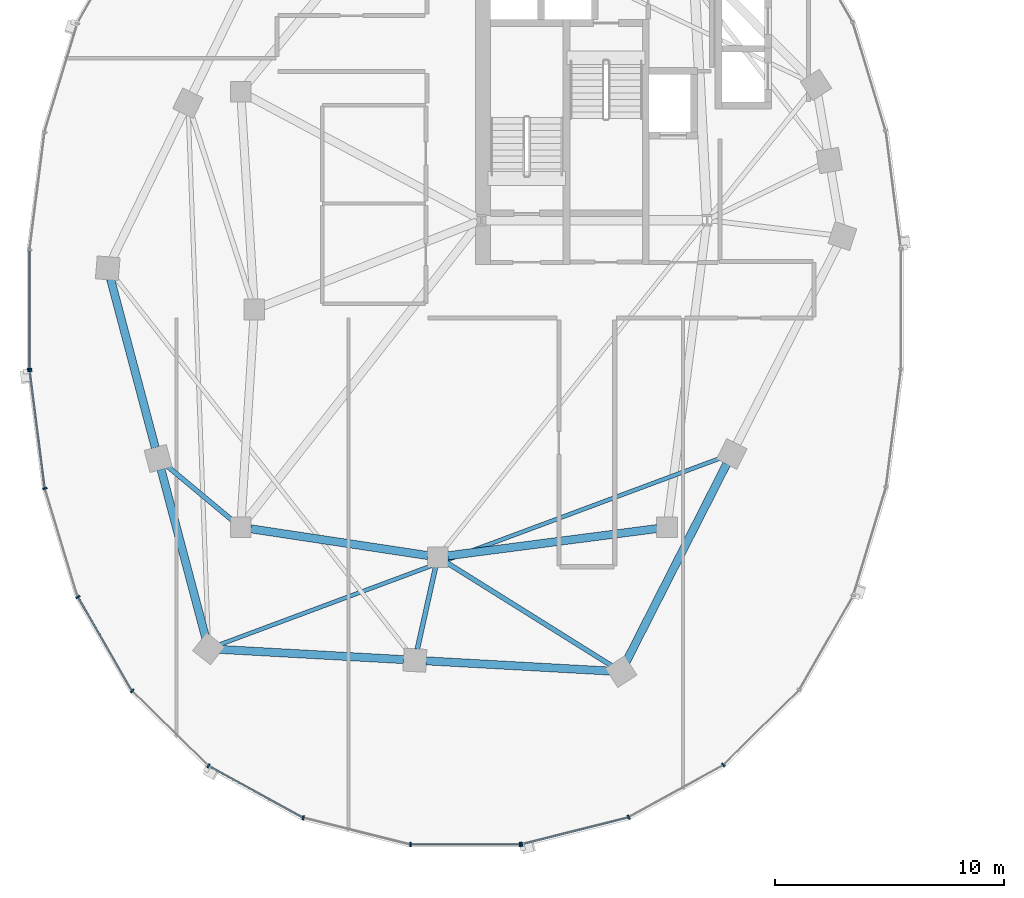
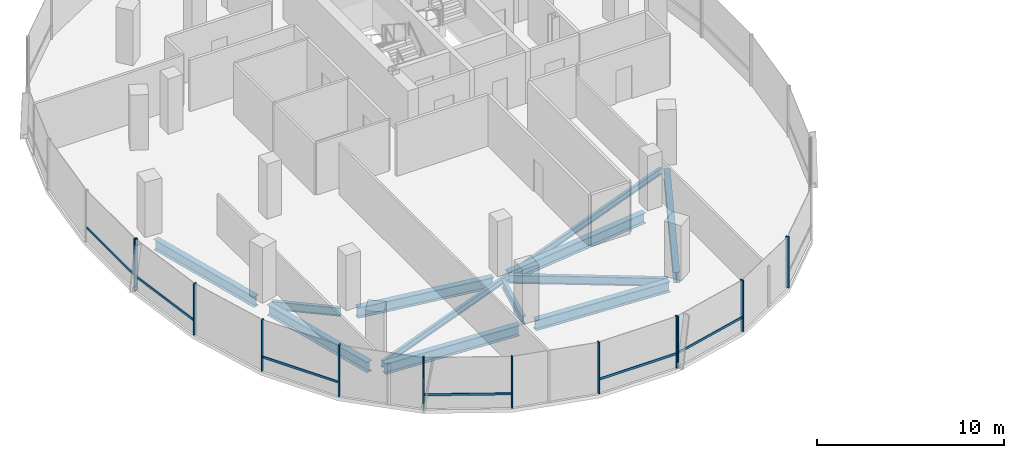
# One storey, part 2 of 22: 18 members, 11 beams, 3 elements without a shape of their own.
"""IFC4 building model written with IfcOpenShell, lengths in metres."""

from ifc_helpers import new_model, si_unit, direction, frame, origin, origin_2d, place, context, subcontext, project, spatial, rectangle, i_section, extrude, material, material_profile, profile_set, type_object, element, aggregate, save


model = new_model("IFC4")

# Units and contexts
model_context = context("Model", 3, precision=1e-05, world=origin(), true_north=direction((0.0, 1.0)))
body_context = subcontext(model_context, "Body", "Model", "MODEL_VIEW")
ifc_project = project(units=[si_unit("LENGTHUNIT", "METRE"), si_unit("AREAUNIT", "SQUARE_METRE"), si_unit("VOLUMEUNIT", "CUBIC_METRE"), si_unit("PLANEANGLEUNIT", "RADIAN"), si_unit("MASSUNIT", "GRAM", prefix="KILO"), si_unit("THERMODYNAMICTEMPERATUREUNIT", "KELVIN"), si_unit("POWERUNIT", "WATT")], contexts=[model_context])

# Site, building, storey
site_placement = place(None, origin())
site = spatial("IfcSite", under=ifc_project, at=site_placement, CompositionType="ELEMENT")
building_placement = place(site_placement, origin())
building = spatial("IfcBuilding", under=site, at=building_placement, Name="Cundina Bronze Exchange", CompositionType="ELEMENT")
storey_placement = place(building_placement, frame((0.0, 0.0, 144.0)))
storey = spatial("IfcBuildingStorey", under=building, at=storey_placement, Name="L37", CompositionType="ELEMENT", Elevation=144.0)

# Beams
ifc_material_1 = material(Name="Steel ASTM A992 Grade 50", Category="steel")
ifc_material_profile_1 = material_profile(ifc_material_1, i_section(OverallWidth=0.2119140625, OverallDepth=0.5439453125, WebThickness=0.01318359375, FlangeThickness=0.021240234375, FilletRadius=0.013916015625, at=origin_2d()), Name="W21X83", Category="steel")
ifc_profile_set_1 = profile_set([ifc_material_profile_1], Name="Steel ASTM A992 Grade 50")
beam_type_1 = type_object("IfcBeamType", Name="BM-FLR-W21A", PredefinedType="BEAM", material=ifc_profile_set_1)
beam_1_placement = place(storey_placement, frame((-42.136474609375, -9.219482421875, -0.511962890625), z_axis=(-0.768253211489, 0.640146079451, 0.0), x_axis=(-0.640146079451, -0.768253211489, 0.0)))
element("IfcBeam", 1, at=beam_1_placement, inside=storey, type_object=beam_type_1, Name="L37 Leg W Radial Floor Beam 09", PredefinedType="BEAM", context=body_context, shape_type="SweptSolid", body=[
    extrude(i_section(OverallWidth=0.2119140625, OverallDepth=0.5439453125, WebThickness=0.01318359375, FlangeThickness=0.021240234375, FilletRadius=0.013916015625, at=origin_2d()), origin(), (0.0, 0.0, 1.0), 3.760009765625),
])
beam_2_placement = place(storey_placement, frame((-33.294921875, -11.2275390625, -0.511962890625), z_axis=(-0.216923440287, -0.976188619609, 0.0), x_axis=(0.976188619609, -0.216923440287, 0.0)))
element("IfcBeam", 2, at=beam_2_placement, inside=storey, type_object=beam_type_1, Name="L37 Leg W Radial Floor Beam 11", PredefinedType="BEAM", context=body_context, shape_type="SweptSolid", body=[
    extrude(i_section(OverallWidth=0.2119140625, OverallDepth=0.5439453125, WebThickness=0.01318359375, FlangeThickness=0.021240234375, FilletRadius=0.013916015625, at=origin_2d()), origin(), (0.0, 0.0, 1.0), 3.68359375),
])
beam_3_placement = place(storey_placement, frame((-32.82861328125, -11.031982421875, -0.511962890625), z_axis=(0.847985407265, -0.530019574228, 0.0), x_axis=(0.530019574228, 0.847985407265, 0.0)))
element("IfcBeam", 3, at=beam_3_placement, inside=storey, type_object=beam_type_1, Name="L37 Leg W Radial Floor Beam 12", PredefinedType="BEAM", context=body_context, shape_type="SweptSolid", body=[
    extrude(i_section(OverallWidth=0.2119140625, OverallDepth=0.5439453125, WebThickness=0.01318359375, FlangeThickness=0.021240234375, FilletRadius=0.013916015625, at=origin_2d()), origin(), (0.0, 0.0, 1.0), 8.50830078125),
])
ifc_material_profile_2 = material_profile(ifc_material_1, i_section(OverallWidth=0.178955078125, OverallDepth=0.409912109375, WebThickness=0.0087890625, FlangeThickness=0.014404296875, FilletRadius=0.010986328125, at=origin_2d()), Name="W16X45", Category="steel")
ifc_profile_set_2 = profile_set([ifc_material_profile_2], Name="Steel ASTM A992 Grade 50")
beam_type_2 = type_object("IfcBeamType", Name="BM-JST-W16", PredefinedType="JOIST", material=ifc_profile_set_2)
beam_4_placement = place(storey_placement, frame((-42.74267578125, -14.629638671875, -0.445068359375), z_axis=(0.937127922351, 0.348986041483, 0.0), x_axis=(-0.348986041483, 0.937127922351, 0.0)))
element("IfcBeam", 4, at=beam_4_placement, inside=storey, type_object=beam_type_2, Name="L37 Leg W Lobe Floor Joist 10-13", PredefinedType="JOIST", context=body_context, shape_type="SweptSolid", body=[
    extrude(i_section(OverallWidth=0.178955078125, OverallDepth=0.409912109375, WebThickness=0.0087890625, FlangeThickness=0.014404296875, FilletRadius=0.010986328125, at=origin_2d()), origin(), (0.0, 0.0, 1.0), 23.38037109375),
])
ifc_material_profile_3 = material_profile(ifc_material_1, i_section(OverallWidth=0.35498046875, OverallDepth=0.695068359375, WebThickness=0.015380859375, FlangeThickness=0.02490234375, FilletRadius=0.01806640625, at=origin_2d()), Name="W27X146", Category="steel")
ifc_profile_set_3 = profile_set([ifc_material_profile_3], Name="Steel ASTM A992 Grade 50")
beam_type_3 = type_object("IfcBeamType", Name="BM-RING-W27", PredefinedType="USERDEFINED", material=ifc_profile_set_3)
beam_5_placement = place(storey_placement, frame((-41.366943359375, -9.5654296875, -0.58740234375), z_axis=(0.988764903598, -0.149478979839, 0.0), x_axis=(0.149478979839, 0.988764903598, 0.0)))
element("IfcBeam", 5, at=beam_5_placement, inside=storey, type_object=beam_type_3, Name="L37 W Inner Structural Ring Girder 05", ObjectType="GIRDER", PredefinedType="USERDEFINED", context=body_context, shape_type="SweptSolid", body=[
    extrude(i_section(OverallWidth=0.35498046875, OverallDepth=0.695068359375, WebThickness=0.015380859375, FlangeThickness=0.02490234375, FilletRadius=0.01806640625, at=origin_2d()), origin(), (0.0, 0.0, 1.0), 7.82177734375),
])
beam_6_placement = place(storey_placement, frame((-32.765625, -10.743408203125, -0.58740234375), z_axis=(0.991656498582, 0.128908451316, 0.0), x_axis=(-0.128908451316, 0.991656498582, 0.0)))
element("IfcBeam", 6, at=beam_6_placement, inside=storey, type_object=beam_type_3, Name="L37 W Inner Structural Ring Girder 06", ObjectType="GIRDER", PredefinedType="USERDEFINED", context=body_context, shape_type="SweptSolid", body=[
    extrude(i_section(OverallWidth=0.35498046875, OverallDepth=0.695068359375, WebThickness=0.015380859375, FlangeThickness=0.02490234375, FilletRadius=0.01806640625, at=origin_2d()), origin(), (0.0, 0.0, 1.0), 9.208251953125),
])
for number, where, z_axis, x_axis, name in (
    (7, (-47.47509765625, 1.328369140625, -0.58740234375), (0.256240814108, -0.966612975904, 0.0), (0.966612975904, 0.256240814108, 0.0), "L37 W Perimeter Ring Girder 08"),
    (8, (-45.27490234375, -6.9716796875, -0.58740234375), (0.256210841755, -0.96662092082, 0.0), (0.96662092082, 0.256210841755, 0.0), "L37 W Perimeter Ring Girder 09"),
):
    element("IfcBeam", number, at=place(storey_placement, frame(where, z_axis=z_axis, x_axis=x_axis)), inside=storey, type_object=beam_type_3, Name=name, ObjectType="GIRDER", PredefinedType="USERDEFINED", context=body_context, shape_type="SweptSolid", body=[
        extrude(i_section(OverallWidth=0.35498046875, OverallDepth=0.695068359375, WebThickness=0.015380859375, FlangeThickness=0.02490234375, FilletRadius=0.01806640625, at=origin_2d()), origin(), (0.0, 0.0, 1.0), 7.61083984375),
    ])
for number, where, z_axis, x_axis, name in (
    (9, (-42.712890625, -14.8271484375, -0.58740234375), (0.998460820451, -0.055461608559, 0.0), (0.055461608559, 0.998460820451, 0.0), "L37 W Perimeter Ring Girder 10"),
    (10, (-33.712890625, -15.3271484375, -0.58740234375), (0.998460820451, -0.055461608559, 0.0), (0.055461608559, 0.998460820451, 0.0), "L37 W Perimeter Ring Girder 11"),
):
    element("IfcBeam", number, at=place(storey_placement, frame(where, z_axis=z_axis, x_axis=x_axis)), inside=storey, type_object=beam_type_3, Name=name, ObjectType="GIRDER", PredefinedType="USERDEFINED", context=body_context, shape_type="SweptSolid", body=[
        extrude(i_section(OverallWidth=0.35498046875, OverallDepth=0.695068359375, WebThickness=0.015380859375, FlangeThickness=0.02490234375, FilletRadius=0.01806640625, at=origin_2d()), origin(), (0.0, 0.0, 1.0), 8.0380859375),
    ])
beam_7_placement = place(storey_placement, frame((-24.97900390625, -15.364990234375, -0.58740234375), z_axis=(0.452834585354, 0.891594548159, 0.0), x_axis=(-0.891594548159, 0.452834585354, 0.0)))
element("IfcBeam", 11, at=beam_7_placement, inside=storey, type_object=beam_type_3, Name="L37 W Perimeter Ring Girder 12", ObjectType="GIRDER", PredefinedType="USERDEFINED", context=body_context, shape_type="SweptSolid", body=[
    extrude(i_section(OverallWidth=0.35498046875, OverallDepth=0.695068359375, WebThickness=0.015380859375, FlangeThickness=0.02490234375, FilletRadius=0.01806640625, at=origin_2d()), origin(), (0.0, 0.0, 1.0), 9.67919921875),
])

# Curtain wall, member
ifc_material_2 = material(Name="Anodised Bronze Aluminium 6063-T6", Category="aluminium")
curtain_wall_type = type_object("IfcCurtainWallType", Name="CWS-WST-PIN", PredefinedType="NOTDEFINED", material=ifc_material_2)
curtain_wall_1_placement = place(storey_placement, origin())
curtain_wall_1 = element("IfcCurtainWall", 12, at=curtain_wall_1_placement, inside=storey, type_object=curtain_wall_type, Name="L37 CW-04 Curtain Wall Run CWR-L37-W2", PredefinedType="NOTDEFINED")
ifc_material_profile_4 = material_profile(ifc_material_2, rectangle(XDim=0.070068359375, YDim=0.18994140625, at=origin_2d()), Name="AL70X190", Category="aluminium")
ifc_profile_set_4 = profile_set([ifc_material_profile_4], Name="Anodised Bronze Aluminium 6063-T6")
member_type_1 = type_object("IfcMemberType", Name="CWM-MUL-190", PredefinedType="MULLION", material=ifc_profile_set_4)
member_1_placement = place(storey_placement, frame((-51.007080078125, -2.593017578125, 0.0), z_axis=(0.0, 0.0, 1.0), x_axis=(0.0, -1.0, 0.0)))
member_1 = element("IfcMember", 13, at=member_1_placement, type_object=member_type_1, Name="CW-04 End Mullion", PredefinedType="MULLION", context=body_context, shape_type="SweptSolid", body=[
    extrude(rectangle(XDim=0.070068359375, YDim=0.18994140625, at=origin_2d()), origin(), (0.0, 0.0, 1.0), 3.360107421875),
])

# Curtain wall, members
curtain_wall_2_placement = place(storey_placement, origin())
curtain_wall_2 = element("IfcCurtainWall", 14, at=curtain_wall_2_placement, inside=storey, type_object=curtain_wall_type, Name="L37 CW-04 Curtain Wall Run CWR-L37-W3", PredefinedType="NOTDEFINED")
member_2_placement = place(storey_placement, frame((-51.001708984375, -2.676025390625, 0.0), z_axis=(0.0, 0.0, 1.0), x_axis=(0.126545236492, -0.991960837494, 0.0)))
member_2 = element("IfcMember", 15, at=member_2_placement, type_object=member_type_1, Name="CW-04 Mullion 1", PredefinedType="MULLION", context=body_context, shape_type="SweptSolid", body=[
    extrude(rectangle(XDim=0.070068359375, YDim=0.18994140625, at=origin_2d()), origin(), (0.0, 0.0, 1.0), 3.360107421875),
])
member_3_placement = place(storey_placement, frame((-50.3408203125, -7.80859375, 0.0), z_axis=(0.0, 0.0, 1.0), x_axis=(0.290034140915, -0.957016299288, 0.0)))
member_3 = element("IfcMember", 16, at=member_3_placement, type_object=member_type_1, Name="CW-04 Mullion 2", PredefinedType="MULLION", context=body_context, shape_type="SweptSolid", body=[
    extrude(rectangle(XDim=0.070068359375, YDim=0.18994140625, at=origin_2d()), origin(), (0.0, 0.0, 1.0), 3.360107421875),
])
member_4_placement = place(storey_placement, frame((-48.89794921875, -12.541259765625, 0.0), z_axis=(0.0, 0.0, 1.0), x_axis=(0.498487739754, -0.866896748936, 0.0)))
member_4 = element("IfcMember", 17, at=member_4_placement, type_object=member_type_1, Name="CW-04 Mullion 3", PredefinedType="MULLION", context=body_context, shape_type="SweptSolid", body=[
    extrude(rectangle(XDim=0.070068359375, YDim=0.18994140625, at=origin_2d()), origin(), (0.0, 0.0, 1.0), 3.360107421875),
])
member_5_placement = place(storey_placement, frame((-46.530517578125, -16.640380859375, 0.0), z_axis=(0.0, 0.0, 1.0), x_axis=(0.712026045991, -0.702153052995, 0.0)))
member_5 = element("IfcMember", 18, at=member_5_placement, type_object=member_type_1, Name="CW-04 Mullion 4", PredefinedType="MULLION", context=body_context, shape_type="SweptSolid", body=[
    extrude(rectangle(XDim=0.070068359375, YDim=0.18994140625, at=origin_2d()), origin(), (0.0, 0.0, 1.0), 3.360107421875),
])
member_6_placement = place(storey_placement, frame((-43.20654296875, -19.906005859375, 0.0), z_axis=(0.0, 0.0, 1.0), x_axis=(0.875885937035, -0.482518212408, 0.0)))
member_6 = element("IfcMember", 19, at=member_6_placement, type_object=member_type_1, Name="CW-04 Mullion 5", PredefinedType="MULLION", context=body_context, shape_type="SweptSolid", body=[
    extrude(rectangle(XDim=0.070068359375, YDim=0.18994140625, at=origin_2d()), origin(), (0.0, 0.0, 1.0), 3.360107421875),
])
member_7_placement = place(storey_placement, frame((-39.067626953125, -22.17626953125, 0.0), z_axis=(0.0, 0.0, 1.0), x_axis=(0.970084240161, -0.242768546132, 0.0)))
member_7 = element("IfcMember", 20, at=member_7_placement, type_object=member_type_1, Name="CW-04 Mullion 6", PredefinedType="MULLION", context=body_context, shape_type="SweptSolid", body=[
    extrude(rectangle(XDim=0.070068359375, YDim=0.18994140625, at=origin_2d()), origin(), (0.0, 0.0, 1.0), 3.360107421875),
])
member_8_placement = place(storey_placement, frame((-34.39404296875, -23.3369140625, 0.0), z_axis=(0.0, 0.0, 1.0), x_axis=(1.0, 0.0, 0.0)))
member_8 = element("IfcMember", 21, at=member_8_placement, type_object=member_type_1, Name="CW-04 Mullion 7", PredefinedType="MULLION", context=body_context, shape_type="SweptSolid", body=[
    extrude(rectangle(XDim=0.070068359375, YDim=0.18994140625, at=origin_2d()), origin(), (0.0, 0.0, 1.0), 3.360107421875),
])
member_9_placement = place(storey_placement, frame((-29.60595703125, -23.3369140625, 0.0), z_axis=(0.0, 0.0, 1.0), x_axis=(1.0, 0.0, 0.0)))
member_9 = element("IfcMember", 22, at=member_9_placement, type_object=member_type_1, Name="CW-04 End Mullion", PredefinedType="MULLION", context=body_context, shape_type="SweptSolid", body=[
    extrude(rectangle(XDim=0.070068359375, YDim=0.18994140625, at=origin_2d()), origin(), (0.0, 0.0, 1.0), 3.360107421875),
])

curtain_wall_3_placement = place(storey_placement, origin())
curtain_wall_3 = element("IfcCurtainWall", 23, at=curtain_wall_3_placement, inside=storey, type_object=curtain_wall_type, Name="L37 CW-04 Curtain Wall Run CWR-L37-W4", PredefinedType="NOTDEFINED")
member_10_placement = place(storey_placement, frame((-29.537353515625, -23.32861328125, 0.0), z_axis=(0.0, 0.0, 1.0), x_axis=(0.970084240161, 0.242768546132, 0.0)))
member_10 = element("IfcMember", 24, at=member_10_placement, type_object=member_type_1, Name="CW-04 Mullion 1", PredefinedType="MULLION", context=body_context, shape_type="SweptSolid", body=[
    extrude(rectangle(XDim=0.070068359375, YDim=0.18994140625, at=origin_2d()), origin(), (0.0, 0.0, 1.0), 3.360107421875),
])
member_11_placement = place(storey_placement, frame((-24.86962890625, -22.151611328125, 0.0), z_axis=(0.0, 0.0, 1.0), x_axis=(0.875885937035, 0.482518212408, 0.0)))
member_11 = element("IfcMember", 25, at=member_11_placement, type_object=member_type_1, Name="CW-04 Mullion 2", PredefinedType="MULLION", context=body_context, shape_type="SweptSolid", body=[
    extrude(rectangle(XDim=0.070068359375, YDim=0.18994140625, at=origin_2d()), origin(), (0.0, 0.0, 1.0), 3.360107421875),
])
member_12_placement = place(storey_placement, frame((-20.740966796875, -19.86669921875, 0.0), z_axis=(0.0, 0.0, 1.0), x_axis=(0.712026045991, 0.702153052995, 0.0)))
member_12 = element("IfcMember", 26, at=member_12_placement, type_object=member_type_1, Name="CW-04 Mullion 3", PredefinedType="MULLION", context=body_context, shape_type="SweptSolid", body=[
    extrude(rectangle(XDim=0.070068359375, YDim=0.18994140625, at=origin_2d()), origin(), (0.0, 0.0, 1.0), 3.360107421875),
])

# Member
ifc_material_profile_5 = material_profile(ifc_material_2, rectangle(XDim=0.06494140625, YDim=0.14990234375, at=origin_2d()), Name="AL65X150", Category="aluminium")
ifc_profile_set_5 = profile_set([ifc_material_profile_5], Name="Anodised Bronze Aluminium 6063-T6")
member_type_2 = type_object("IfcMemberType", Name="CWM-TRN-150", PredefinedType="USERDEFINED", material=ifc_profile_set_5)
member_13_placement = place(storey_placement, frame((-51.007080078125, 2.554443359375, 0.919921875), z_axis=(0.0, -1.0, 0.0), x_axis=(1.0, 0.0, 0.0)))
member_13 = element("IfcMember", 27, at=member_13_placement, type_object=member_type_2, Name="CW-04 Spandrel Transom 7", ObjectType="TRANSOM", PredefinedType="USERDEFINED", context=body_context, shape_type="SweptSolid", body=[
    extrude(rectangle(XDim=0.06494140625, YDim=0.14990234375, at=origin_2d()), origin(), (0.0, 0.0, 1.0), 5.10888671875),
])

aggregate(curtain_wall_1, [member_1, member_13])

member_14_placement = place(storey_placement, frame((-50.996826171875, -2.71435546875, 0.919921875), z_axis=(0.12646340362, -0.991971273548, 0.0), x_axis=(0.991971273548, 0.12646340362, 0.0)))
member_14 = element("IfcMember", 28, at=member_14_placement, type_object=member_type_2, Name="CW-04 Spandrel Transom 1", ObjectType="TRANSOM", PredefinedType="USERDEFINED", context=body_context, shape_type="SweptSolid", body=[
    extrude(rectangle(XDim=0.06494140625, YDim=0.14990234375, at=origin_2d()), origin(), (0.0, 0.0, 1.0), 5.0966796875),
])

member_15_placement = place(storey_placement, frame((-48.878662109375, -12.574462890625, 0.919921875), z_axis=(0.498479967047, -0.866901218394, 0.0), x_axis=(0.866901218394, 0.498479967047, 0.0)))
member_15 = element("IfcMember", 29, at=member_15_placement, type_object=member_type_2, Name="CW-04 Spandrel Transom 3", ObjectType="TRANSOM", PredefinedType="USERDEFINED", context=body_context, shape_type="SweptSolid", body=[
    extrude(rectangle(XDim=0.06494140625, YDim=0.14990234375, at=origin_2d()), origin(), (0.0, 0.0, 1.0), 4.66845703125),
])

member_16_placement = place(storey_placement, frame((-43.1728515625, -19.924560546875, 0.919921875), z_axis=(0.875878981549, -0.482530838062, 0.0), x_axis=(0.482530838062, 0.875878981549, 0.0)))
member_16 = element("IfcMember", 30, at=member_16_placement, type_object=member_type_2, Name="CW-04 Spandrel Transom 5", ObjectType="TRANSOM", PredefinedType="USERDEFINED", context=body_context, shape_type="SweptSolid", body=[
    extrude(rectangle(XDim=0.06494140625, YDim=0.14990234375, at=origin_2d()), origin(), (0.0, 0.0, 1.0), 4.65380859375),
])

member_17_placement = place(storey_placement, frame((-34.35546875, -23.3369140625, 0.919921875), z_axis=(1.0, 0.0, 0.0), x_axis=(0.0, 1.0, 0.0)))
member_17 = element("IfcMember", 31, at=member_17_placement, type_object=member_type_2, Name="CW-04 Spandrel Transom 7", ObjectType="TRANSOM", PredefinedType="USERDEFINED", context=body_context, shape_type="SweptSolid", body=[
    extrude(rectangle(XDim=0.06494140625, YDim=0.14990234375, at=origin_2d()), origin(), (0.0, 0.0, 1.0), 4.7109375),
])

aggregate(curtain_wall_2, [member_2, member_14, member_3, member_4, member_15, member_5, member_6, member_16, member_7, member_8, member_9, member_17])

member_18_placement = place(storey_placement, frame((-29.5, -23.319091796875, 0.919921875), z_axis=(0.970100130035, 0.242705042606, 0.0), x_axis=(-0.242705042606, 0.970100130035, 0.0)))
member_18 = element("IfcMember", 32, at=member_18_placement, type_object=member_type_2, Name="CW-04 Spandrel Transom 1", ObjectType="TRANSOM", PredefinedType="USERDEFINED", context=body_context, shape_type="SweptSolid", body=[
    extrude(rectangle(XDim=0.06494140625, YDim=0.14990234375, at=origin_2d()), origin(), (0.0, 0.0, 1.0), 4.746826171875),
])

aggregate(curtain_wall_3, [member_10, member_18, member_11, member_12])

save(model, "model.ifc")
